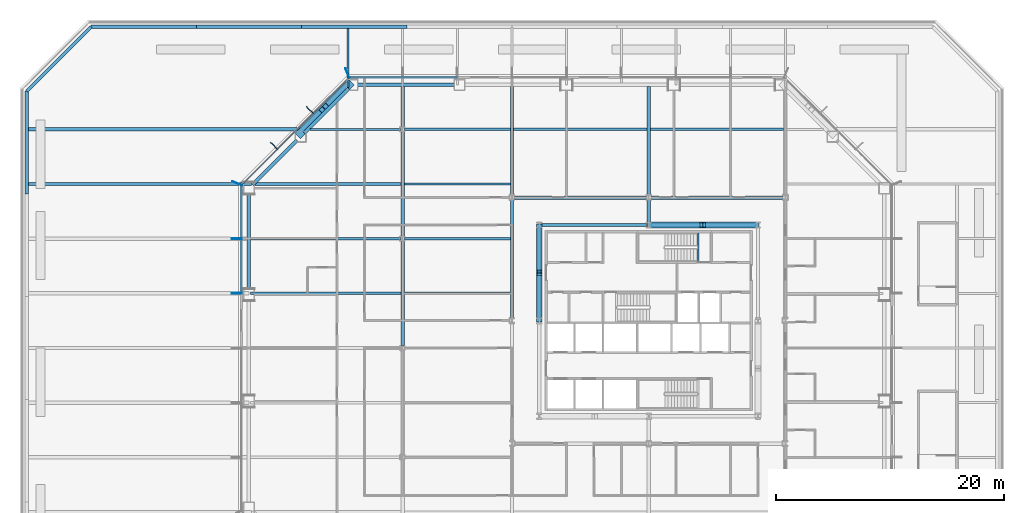
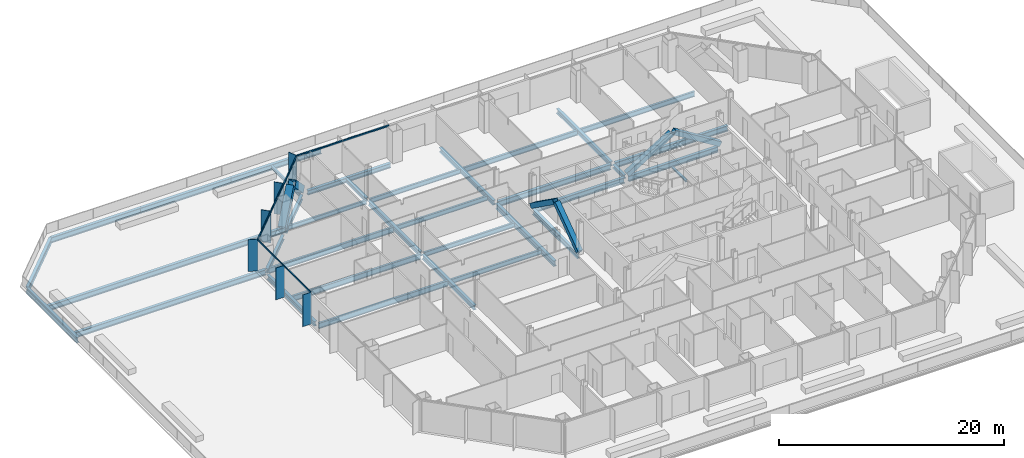
# One storey, part 4 of 18: 35 beams, 19 members, 3 elements without a shape of their own.
"""IFC4 building model written with IfcOpenShell, lengths in metres."""

from ifc_helpers import new_model, si_unit, direction, frame, origin, origin_2d, place, context, subcontext, project, spatial, rectangle, hollow_rectangle, i_section, extrude, material, material_profile, profile_set, type_object, element, aggregate, save


model = new_model("IFC4")

# Units and contexts
model_context = context("Model", 3, precision=1e-05, world=origin(), true_north=direction((0.0, 1.0)))
body_context = subcontext(model_context, "Body", "Model", "MODEL_VIEW")
ifc_project = project(units=[si_unit("LENGTHUNIT", "METRE"), si_unit("AREAUNIT", "SQUARE_METRE"), si_unit("VOLUMEUNIT", "CUBIC_METRE"), si_unit("PLANEANGLEUNIT", "RADIAN"), si_unit("MASSUNIT", "GRAM", prefix="KILO")], contexts=[model_context])

# Site, building, storey
site_placement = place(None, origin())
site = spatial("IfcSite", under=ifc_project, at=site_placement, CompositionType="ELEMENT")
building_placement = place(site_placement, origin())
building = spatial("IfcBuilding", under=site, at=building_placement, Name="Cairn Pilgrim Tower", CompositionType="ELEMENT")
storey_placement = place(building_placement, frame((0.0, 0.0, 40.199951171875)))
storey = spatial("IfcBuildingStorey", under=building, at=storey_placement, Name="L07", CompositionType="ELEMENT", Elevation=40.199951171875)

# Members
ifc_material_1 = material(Name="Structural steel S460M", Category="steel")
ifc_material_profile_1 = material_profile(ifc_material_1, hollow_rectangle(XDim=0.5, YDim=0.5, WallThickness=0.030029296875, at=origin_2d()), Name="BOX 500x500x30")
ifc_profile_set_1 = profile_set([ifc_material_profile_1], Name="Structural steel S460M")
member_type_1 = type_object("IfcMemberType", Name="BOX 500x500x30 BRACE", PredefinedType="BRACE", material=ifc_profile_set_1)
member_1_placement = place(storey_placement, frame((16.754638671875, 10.800048828125, 0.10009765625), z_axis=(-0.850917090612, 0.0, 0.525300014187), x_axis=(0.0, -1.0, 0.0)))
element("IfcMember", 1, at=member_1_placement, inside=storey, type_object=member_type_1, Name="KB-3A", PredefinedType="BRACE", context=body_context, shape_type="SweptSolid", body=[
    extrude(hollow_rectangle(XDim=0.5, YDim=0.5, WallThickness=0.030029296875, at=origin_2d()), origin(), (0.0, 0.0, 1.0), 5.525146484375),
])
member_2_placement = place(storey_placement, frame((7.245361328125, 10.800048828125, 0.10009765625), z_axis=(0.850919818074, 0.0, 0.52529559603), x_axis=(0.0, 1.0, 0.0)))
element("IfcMember", 2, at=member_2_placement, inside=storey, type_object=member_type_1, Name="KB-3B", PredefinedType="BRACE", context=body_context, shape_type="SweptSolid", body=[
    extrude(hollow_rectangle(XDim=0.5, YDim=0.5, WallThickness=0.030029296875, at=origin_2d()), origin(), (0.0, 0.0, 1.0), 5.375),
])
for number, where, z_axis, x_axis, name in (
    (3, (-2.39990234375, 10.754638671875, 0.10009765625), (0.0, -0.814083383497, 0.580748004486), (1.0, 0.0, 0.0), "KB-4A"),
    (4, (-2.39990234375, 2.4453125, 0.10009765625), (0.0, 0.814083383497, 0.580748004486), (-1.0, 0.0, 0.0), "KB-4B"),
):
    element("IfcMember", number, at=place(storey_placement, frame(where, z_axis=z_axis, x_axis=x_axis)), inside=storey, type_object=member_type_1, Name=name, PredefinedType="BRACE", context=body_context, shape_type="SweptSolid", body=[
        extrude(hollow_rectangle(XDim=0.5, YDim=0.5, WallThickness=0.030029296875, at=origin_2d()), origin(), (0.0, 0.0, 1.0), 4.9951171875),
    ])
ifc_material_profile_2 = material_profile(ifc_material_1, hollow_rectangle(XDim=0.699951171875, YDim=0.699951171875, WallThickness=0.0400390625, at=origin_2d()), Name="BOX 700x700x40")
ifc_profile_set_2 = profile_set([ifc_material_profile_2], Name="Structural steel S460M")
member_type_2 = type_object("IfcMemberType", Name="BOX 700x700x40 BRACE", PredefinedType="BRACE", material=ifc_profile_set_2)
member_3_placement = place(storey_placement, frame((-19.0498046875, 23.181396484375, 0.150146484375), z_axis=(-0.528118110354, -0.528118110354, 0.664968061663), x_axis=(0.707106781187, -0.707106781187, 0.0)))
element("IfcMember", 5, at=member_3_placement, inside=storey, type_object=member_type_2, Name="XB-NW1-NW2-1", PredefinedType="BRACE", context=body_context, shape_type="SweptSolid", body=[
    extrude(hollow_rectangle(XDim=0.699951171875, YDim=0.699951171875, WallThickness=0.0400390625, at=origin_2d()), origin(), (0.0, 0.0, 1.0), 3.89990234375),
])
member_4_placement = place(storey_placement, frame((-23.44482421875, 18.786376953125, 0.150146484375), z_axis=(0.528090425698, 0.528090425698, 0.665012033404), x_axis=(-0.707106781187, 0.707106781187, 0.0)))
element("IfcMember", 6, at=member_4_placement, inside=storey, type_object=member_type_2, Name="XB-NW1-NW2-2", PredefinedType="BRACE", context=body_context, shape_type="SweptSolid", body=[
    extrude(hollow_rectangle(XDim=0.699951171875, YDim=0.699951171875, WallThickness=0.0400390625, at=origin_2d()), origin(), (0.0, 0.0, 1.0), 3.899658203125),
])

# Curtain wall, members
ifc_material_2 = material(Name="Aluminium alloy 6063-T6 bronze anodised with Bronze tinted laminated low-E glass 8+16+8.8", Category="aluminium")
curtain_wall_type_1 = type_object("IfcCurtainWallType", Name="CHAMFER CORNER CURTAIN WALL", PredefinedType="NOTDEFINED", material=ifc_material_2)
curtain_wall_1_placement = place(storey_placement, origin())
curtain_wall_1 = element("IfcCurtainWall", 7, at=curtain_wall_1_placement, inside=storey, type_object=curtain_wall_type_1, Name="Chamfer Corner Curtain Wall NW", PredefinedType="NOTDEFINED")
ifc_material_3 = material(Name="Aluminium alloy 6063-T6 bronze anodised", Category="aluminium")
ifc_material_profile_3 = material_profile(ifc_material_3, rectangle(XDim=0.89990234375, YDim=0.06005859375, at=origin_2d()), Name="FIN MULLION 60x900 BRONZE")
ifc_profile_set_3 = profile_set([ifc_material_profile_3], Name="Aluminium alloy 6063-T6 bronze anodised")
member_type_3 = type_object("IfcMemberType", Name="FIN MULLION 60x900 BRONZE", PredefinedType="MULLION", material=ifc_profile_set_3)
member_5_placement = place(storey_placement, frame((-19.257080078125, 24.137939453125, 0.0), z_axis=(0.0, 0.0, 1.0), x_axis=(-0.382683432365, 0.923879532511, 0.0)))
member_5 = element("IfcMember", 8, at=member_5_placement, type_object=member_type_3, Name="Fin mullion NW1", PredefinedType="MULLION", context=body_context, shape_type="SweptSolid", body=[
    extrude(rectangle(XDim=0.89990234375, YDim=0.06005859375, at=origin_2d()), origin(), (0.0, 0.0, 1.0), 3.449951171875),
])
member_6_placement = place(storey_placement, frame((-22.544677734375, 20.895751953125, 0.0), z_axis=(0.0, 0.0, 1.0), x_axis=(-0.707106781187, 0.707106781187, 0.0)))
member_6 = element("IfcMember", 9, at=member_6_placement, type_object=member_type_3, Name="Fin mullion NW2", PredefinedType="MULLION", context=body_context, shape_type="SweptSolid", body=[
    extrude(rectangle(XDim=0.89990234375, YDim=0.06005859375, at=origin_2d()), origin(), (0.0, 0.0, 1.0), 3.449951171875),
])
member_7_placement = place(storey_placement, frame((-25.69580078125, 17.74462890625, 0.0), z_axis=(0.0, 0.0, 1.0), x_axis=(-0.707106781187, 0.707106781187, 0.0)))
member_7 = element("IfcMember", 10, at=member_7_placement, type_object=member_type_3, Name="Fin mullion NW3", PredefinedType="MULLION", context=body_context, shape_type="SweptSolid", body=[
    extrude(rectangle(XDim=0.89990234375, YDim=0.06005859375, at=origin_2d()), origin(), (0.0, 0.0, 1.0), 3.449951171875),
])

curtain_wall_type_2 = type_object("IfcCurtainWallType", Name="TOWER STICK CURTAIN WALL EW", PredefinedType="NOTDEFINED", material=ifc_material_2)
curtain_wall_2_placement = place(storey_placement, origin())
curtain_wall_2 = element("IfcCurtainWall", 11, at=curtain_wall_2_placement, inside=storey, type_object=curtain_wall_type_2, Name="Tower Stick Curtain Wall Ew W", PredefinedType="NOTDEFINED")
member_8_placement = place(storey_placement, frame((-28.93798828125, 14.457275390625, 0.0), z_axis=(0.0, 0.0, 1.0), x_axis=(-0.923879532511, 0.382683432365, 0.0)))
member_8 = element("IfcMember", 12, at=member_8_placement, type_object=member_type_3, Name="Fin mullion W1", PredefinedType="MULLION", context=body_context, shape_type="SweptSolid", body=[
    extrude(rectangle(XDim=0.89990234375, YDim=0.06005859375, at=origin_2d()), origin(), (0.0, 0.0, 1.0), 3.449951171875),
])
member_9_placement = place(storey_placement, frame((-28.969970703125, 9.60009765625, 0.0), z_axis=(0.0, 0.0, 1.0), x_axis=(-1.0, 0.0, 0.0)))
member_9 = element("IfcMember", 13, at=member_9_placement, type_object=member_type_3, Name="Fin mullion W2", PredefinedType="MULLION", context=body_context, shape_type="SweptSolid", body=[
    extrude(rectangle(XDim=0.89990234375, YDim=0.06005859375, at=origin_2d()), origin(), (0.0, 0.0, 1.0), 3.449951171875),
])
member_10_placement = place(storey_placement, frame((-28.969970703125, 4.800048828125, 0.0), z_axis=(0.0, 0.0, 1.0), x_axis=(-1.0, 0.0, 0.0)))
member_10 = element("IfcMember", 14, at=member_10_placement, type_object=member_type_3, Name="Fin mullion W3", PredefinedType="MULLION", context=body_context, shape_type="SweptSolid", body=[
    extrude(rectangle(XDim=0.89990234375, YDim=0.06005859375, at=origin_2d()), origin(), (0.0, 0.0, 1.0), 3.449951171875),
])

# Beams
ifc_material_4 = material(Name="Structural steel S355J2", Category="steel")
ifc_material_profile_4 = material_profile(ifc_material_4, i_section(OverallWidth=0.300048828125, OverallDepth=0.39990234375, WebThickness=0.013427734375, FlangeThickness=0.02392578125, FilletRadius=0.027099609375, at=origin_2d()), Name="HEB 400")
ifc_profile_set_4 = profile_set([ifc_material_profile_4], Name="Structural steel S355J2")
beam_type_1 = type_object("IfcBeamType", Name="HEB 400 GIRDER", PredefinedType="BEAM", material=ifc_profile_set_4)
beam_1_placement = place(storey_placement, frame((-14.39990234375, 19.404541015625, -0.349853515625), z_axis=(0.0, 1.0, 0.0), x_axis=(-1.0, 0.0, 0.0)))
element("IfcBeam", 15, at=beam_1_placement, inside=storey, type_object=beam_type_1, Name="PG1-6", PredefinedType="BEAM", context=body_context, shape_type="SweptSolid", body=[
    extrude(i_section(OverallWidth=0.300048828125, OverallDepth=0.39990234375, WebThickness=0.013427734375, FlangeThickness=0.02392578125, FilletRadius=0.027099609375, at=origin_2d()), origin(), (0.0, 0.0, 1.0), 3.575439453125),
])
beam_2_placement = place(storey_placement, frame((7.199951171875, 11.027099609375, -0.349853515625), z_axis=(0.0, 1.0, 0.0), x_axis=(-1.0, 0.0, 0.0)))
element("IfcBeam", 16, at=beam_2_placement, inside=storey, type_object=beam_type_1, Name="PG3-E2", PredefinedType="BEAM", context=body_context, shape_type="SweptSolid", body=[
    extrude(i_section(OverallWidth=0.300048828125, OverallDepth=0.39990234375, WebThickness=0.013427734375, FlangeThickness=0.02392578125, FilletRadius=0.027099609375, at=origin_2d()), origin(), (0.0, 0.0, 1.0), 1.9609375),
])
ifc_material_profile_5 = material_profile(ifc_material_4, i_section(OverallWidth=0.300048828125, OverallDepth=0.5, WebThickness=0.014404296875, FlangeThickness=0.028076171875, FilletRadius=0.027099609375, at=origin_2d()), Name="HEB 500")
ifc_profile_set_5 = profile_set([ifc_material_profile_5], Name="Structural steel S355J2")
beam_type_2 = type_object("IfcBeamType", Name="HEB 500 GIRDER", PredefinedType="BEAM", material=ifc_profile_set_5)
beam_3_placement = place(storey_placement, frame((-14.39990234375, 0.20458984375, -0.39990234375), z_axis=(0.0, 1.0, 0.0), x_axis=(-1.0, 0.0, 0.0)))
element("IfcBeam", 17, at=beam_3_placement, inside=storey, type_object=beam_type_2, Name="PG1-4", PredefinedType="BEAM", context=body_context, shape_type="SweptSolid", body=[
    extrude(i_section(OverallWidth=0.300048828125, OverallDepth=0.5, WebThickness=0.014404296875, FlangeThickness=0.028076171875, FilletRadius=0.027099609375, at=origin_2d()), origin(), (0.0, 0.0, 1.0), 9.19091796875),
])
beam_4_placement = place(storey_placement, frame((-14.39990234375, 9.804443359375, -0.39990234375), z_axis=(0.0, 1.0, 0.0), x_axis=(-1.0, 0.0, 0.0)))
element("IfcBeam", 18, at=beam_4_placement, inside=storey, type_object=beam_type_2, Name="PG1-5", PredefinedType="BEAM", context=body_context, shape_type="SweptSolid", body=[
    extrude(i_section(OverallWidth=0.300048828125, OverallDepth=0.5, WebThickness=0.014404296875, FlangeThickness=0.028076171875, FilletRadius=0.027099609375, at=origin_2d()), origin(), (0.0, 0.0, 1.0), 9.191162109375),
])
for number, where, z_axis, x_axis, name in (
    (19, (-4.800048828125, 13.412109375, -0.39990234375), (0.0, 1.0, 0.0), (-1.0, 0.0, 0.0), "PG2-4"),
    (20, (7.199951171875, 13.412109375, -0.39990234375), (0.0, 1.0, 0.0), (-1.0, 0.0, 0.0), "PG3-2"),
):
    element("IfcBeam", number, at=place(storey_placement, frame(where, z_axis=z_axis, x_axis=x_axis)), inside=storey, type_object=beam_type_2, Name=name, PredefinedType="BEAM", context=body_context, shape_type="SweptSolid", body=[
        extrude(i_section(OverallWidth=0.300048828125, OverallDepth=0.5, WebThickness=0.014404296875, FlangeThickness=0.028076171875, FilletRadius=0.027099609375, at=origin_2d()), origin(), (0.0, 0.0, 1.0), 9.56787109375),
    ])
ifc_material_profile_6 = material_profile(ifc_material_4, i_section(OverallWidth=0.300048828125, OverallDepth=0.5, WebThickness=0.014404296875, FlangeThickness=0.028076171875, FilletRadius=0.027099609375, at=origin_2d()), Name="HEB 500")
ifc_profile_set_6 = profile_set([ifc_material_profile_6], Name="Structural steel S355J2")
beam_type_3 = type_object("IfcBeamType", Name="HEB 500 RING GIRDER", PredefinedType="SPANDREL", material=ifc_profile_set_6)
beam_5_placement = place(storey_placement, frame((-9.863525390625, 23.10009765625, -0.39990234375), z_axis=(-1.0, 0.0, 0.0), x_axis=(0.0, -1.0, 0.0)))
element("IfcBeam", 21, at=beam_5_placement, inside=storey, type_object=beam_type_3, Name="RG1-N4-NW1", PredefinedType="SPANDREL", context=body_context, shape_type="SweptSolid", body=[
    extrude(i_section(OverallWidth=0.300048828125, OverallDepth=0.5, WebThickness=0.014404296875, FlangeThickness=0.028076171875, FilletRadius=0.027099609375, at=origin_2d()), origin(), (0.0, 0.0, 1.0), 8.513671875),
])
for number, where, z_axis, x_axis, name in (
    (22, (-19.1455078125, 22.78173828125, -0.39990234375), (-0.707106781187, -0.707106781187, 0.0), (0.707106781187, -0.707106781187, 0.0), "RG1-NW1-NW2"),
    (23, (-23.681884765625, 18.245361328125, -0.39990234375), (-0.707106781187, -0.707106781187, 0.0), (0.707106781187, -0.707106781187, 0.0), "RG1-NW2-W1"),
):
    element("IfcBeam", number, at=place(storey_placement, frame(where, z_axis=z_axis, x_axis=x_axis)), inside=storey, type_object=beam_type_3, Name=name, PredefinedType="SPANDREL", context=body_context, shape_type="SweptSolid", body=[
        extrude(i_section(OverallWidth=0.300048828125, OverallDepth=0.5, WebThickness=0.014404296875, FlangeThickness=0.028076171875, FilletRadius=0.027099609375, at=origin_2d()), origin(), (0.0, 0.0, 1.0), 5.515380859375),
    ])
beam_6_placement = place(storey_placement, frame((-27.89990234375, 13.5771484375, -0.39990234375), z_axis=(0.0, -1.0, 0.0), x_axis=(1.0, 0.0, 0.0)))
element("IfcBeam", 24, at=beam_6_placement, inside=storey, type_object=beam_type_3, Name="RG1-W1-W2", PredefinedType="SPANDREL", context=body_context, shape_type="SweptSolid", body=[
    extrude(i_section(OverallWidth=0.300048828125, OverallDepth=0.5, WebThickness=0.014404296875, FlangeThickness=0.028076171875, FilletRadius=0.027099609375, at=origin_2d()), origin(), (0.0, 0.0, 1.0), 8.451416015625),
])
ifc_material_profile_7 = material_profile(ifc_material_4, i_section(OverallWidth=0.300048828125, OverallDepth=0.60009765625, WebThickness=0.015380859375, FlangeThickness=0.030029296875, FilletRadius=0.027099609375, at=origin_2d()), Name="HEB 600")
ifc_profile_set_7 = profile_set([ifc_material_profile_7], Name="Structural steel S355J2")
beam_type_4 = type_object("IfcBeamType", Name="HEB 600 CORE BEAM", PredefinedType="BEAM", material=ifc_profile_set_7)
for number, where, z_axis, x_axis, name in (
    (25, (16.595703125, 10.800048828125, -0.449951171875), (-1.0, 0.0, 0.0), (0.0, -1.0, 0.0), "CB-5"),
    (26, (6.99560546875, 10.800048828125, -0.449951171875), (-1.0, 0.0, 0.0), (0.0, -1.0, 0.0), "CB-6"),
):
    element("IfcBeam", number, at=place(storey_placement, frame(where, z_axis=z_axis, x_axis=x_axis)), inside=storey, type_object=beam_type_4, Name=name, PredefinedType="BEAM", context=body_context, shape_type="SweptSolid", body=[
        extrude(i_section(OverallWidth=0.300048828125, OverallDepth=0.60009765625, WebThickness=0.015380859375, FlangeThickness=0.030029296875, FilletRadius=0.027099609375, at=origin_2d()), origin(), (0.0, 0.0, 1.0), 9.19140625),
    ])
beam_7_placement = place(storey_placement, frame((-2.39990234375, 10.595703125, -0.449951171875), z_axis=(0.0, -1.0, 0.0), x_axis=(1.0, 0.0, 0.0)))
element("IfcBeam", 27, at=beam_7_placement, inside=storey, type_object=beam_type_4, Name="CB-7", PredefinedType="BEAM", context=body_context, shape_type="SweptSolid", body=[
    extrude(i_section(OverallWidth=0.300048828125, OverallDepth=0.60009765625, WebThickness=0.015380859375, FlangeThickness=0.030029296875, FilletRadius=0.027099609375, at=origin_2d()), origin(), (0.0, 0.0, 1.0), 7.991455078125),
])
ifc_material_profile_8 = material_profile(ifc_material_4, i_section(OverallWidth=0.300048828125, OverallDepth=0.60009765625, WebThickness=0.015380859375, FlangeThickness=0.030029296875, FilletRadius=0.027099609375, at=origin_2d()), Name="HEB 600")
ifc_profile_set_8 = profile_set([ifc_material_profile_8], Name="Structural steel S355J2")
beam_type_5 = type_object("IfcBeamType", Name="HEB 600 GIRDER", PredefinedType="BEAM", material=ifc_profile_set_8)
beam_8_placement = place(storey_placement, frame((-4.800048828125, 2.612060546875, -0.449951171875), z_axis=(0.0, 1.0, 0.0), x_axis=(-1.0, 0.0, 0.0)))
element("IfcBeam", 28, at=beam_8_placement, inside=storey, type_object=beam_type_5, Name="PG2-3", PredefinedType="BEAM", context=body_context, shape_type="SweptSolid", body=[
    extrude(i_section(OverallWidth=0.300048828125, OverallDepth=0.60009765625, WebThickness=0.015380859375, FlangeThickness=0.030029296875, FilletRadius=0.027099609375, at=origin_2d()), origin(), (0.0, 0.0, 1.0), 10.3759765625),
])
ifc_material_profile_9 = material_profile(ifc_material_4, i_section(OverallWidth=0.300048828125, OverallDepth=0.60009765625, WebThickness=0.015380859375, FlangeThickness=0.030029296875, FilletRadius=0.027099609375, at=origin_2d()), Name="HEB 600")
ifc_profile_set_9 = profile_set([ifc_material_profile_9], Name="Structural steel S355J2")
beam_type_6 = type_object("IfcBeamType", Name="HEB 600 INNER GIRDER", PredefinedType="BEAM", material=ifc_profile_set_9)
for number, where, z_axis, x_axis, name in (
    (29, (-4.587890625, 13.199951171875, -0.449951171875), (1.0, 0.0, 0.0), (0.0, 1.0, 0.0), "IG2-1"),
    (30, (7.412109375, 13.199951171875, -0.449951171875), (1.0, 0.0, 0.0), (0.0, 1.0, 0.0), "IG2-2"),
):
    element("IfcBeam", number, at=place(storey_placement, frame(where, z_axis=z_axis, x_axis=x_axis)), inside=storey, type_object=beam_type_6, Name=name, PredefinedType="BEAM", context=body_context, shape_type="SweptSolid", body=[
        extrude(i_section(OverallWidth=0.300048828125, OverallDepth=0.60009765625, WebThickness=0.015380859375, FlangeThickness=0.030029296875, FilletRadius=0.027099609375, at=origin_2d()), origin(), (0.0, 0.0, 1.0), 11.575927734375),
    ])
ifc_material_profile_10 = material_profile(ifc_material_4, i_section(OverallWidth=0.18994140625, OverallDepth=0.449951171875, WebThickness=0.009521484375, FlangeThickness=0.0146484375, FilletRadius=0.02099609375, at=origin_2d()), Name="IPE 450")
ifc_profile_set_10 = profile_set([ifc_material_profile_10], Name="Structural steel S355J2")
beam_type_7 = type_object("IfcBeamType", Name="IPE 450 SECONDARY BEAM", PredefinedType="JOIST", material=ifc_profile_set_10)
beam_9_placement = place(storey_placement, frame((-22.545166015625, 19.199951171875, -0.375), z_axis=(1.0, 0.0, 0.0), x_axis=(0.0, 1.0, 0.0)))
element("IfcBeam", 31, at=beam_9_placement, inside=storey, type_object=beam_type_7, Name="SB9-1", PredefinedType="JOIST", context=body_context, shape_type="SweptSolid", body=[
    extrude(i_section(OverallWidth=0.18994140625, OverallDepth=0.449951171875, WebThickness=0.009521484375, FlangeThickness=0.0146484375, FilletRadius=0.02099609375, at=origin_2d()), origin(), (0.0, 0.0, 1.0), 7.9951171875),
])
ifc_material_profile_11 = material_profile(ifc_material_4, i_section(OverallWidth=0.199951171875, OverallDepth=0.5, WebThickness=0.01025390625, FlangeThickness=0.01611328125, FilletRadius=0.02099609375, at=origin_2d()), Name="IPE 500")
ifc_profile_set_11 = profile_set([ifc_material_profile_11], Name="Structural steel S355J2")
beam_type_8 = type_object("IfcBeamType", Name="IPE 500 SECONDARY BEAM", PredefinedType="JOIST", material=ifc_profile_set_11)
for number, where, z_axis, x_axis, name in (
    (32, (-14.25, 4.800048828125, -0.39990234375), (1.0, 0.0, 0.0), (0.0, 1.0, 0.0), "SB6-2"),
    (33, (-14.25, 9.60009765625, -0.39990234375), (1.0, 0.0, 0.0), (0.0, 1.0, 0.0), "SB7-2"),
    (34, (-14.25, 14.39990234375, -0.39990234375), (1.0, 0.0, 0.0), (0.0, 1.0, 0.0), "SB8-2"),
    (35, (-14.25, 19.199951171875, -0.39990234375), (1.0, 0.0, 0.0), (0.0, 1.0, 0.0), "SB9-2"),
):
    element("IfcBeam", number, at=place(storey_placement, frame(where, z_axis=z_axis, x_axis=x_axis)), inside=storey, type_object=beam_type_8, Name=name, PredefinedType="JOIST", context=body_context, shape_type="SweptSolid", body=[
        extrude(i_section(OverallWidth=0.199951171875, OverallDepth=0.5, WebThickness=0.01025390625, FlangeThickness=0.01611328125, FilletRadius=0.02099609375, at=origin_2d()), origin(), (0.0, 0.0, 1.0), 9.300048828125),
    ])
ifc_material_profile_12 = material_profile(ifc_material_4, i_section(OverallWidth=0.2099609375, OverallDepth=0.550048828125, WebThickness=0.010986328125, FlangeThickness=0.01708984375, FilletRadius=0.02392578125, at=origin_2d()), Name="IPE 550")
ifc_profile_set_12 = profile_set([ifc_material_profile_12], Name="Structural steel S355J2")
beam_type_9 = type_object("IfcBeamType", Name="IPE 550 SECONDARY BEAM", PredefinedType="JOIST", material=ifc_profile_set_12)
for number, where, z_axis, x_axis, name in (
    (36, (-4.64990234375, 19.199951171875, -0.425048828125), (1.0, 0.0, 0.0), (0.0, 1.0, 0.0), "SB9-3"),
    (37, (7.35009765625, 19.199951171875, -0.425048828125), (1.0, 0.0, 0.0), (0.0, 1.0, 0.0), "SB9-4"),
):
    element("IfcBeam", number, at=place(storey_placement, frame(where, z_axis=z_axis, x_axis=x_axis)), inside=storey, type_object=beam_type_9, Name=name, PredefinedType="JOIST", context=body_context, shape_type="SweptSolid", body=[
        extrude(i_section(OverallWidth=0.2099609375, OverallDepth=0.550048828125, WebThickness=0.010986328125, FlangeThickness=0.01708984375, FilletRadius=0.02392578125, at=origin_2d()), origin(), (0.0, 0.0, 1.0), 11.699951171875),
    ])
ifc_material_profile_13 = material_profile(ifc_material_4, i_section(OverallWidth=0.219970703125, OverallDepth=0.60009765625, WebThickness=0.011962890625, FlangeThickness=0.01904296875, FilletRadius=0.02392578125, at=origin_2d()), Name="IPE 600")
ifc_profile_set_13 = profile_set([ifc_material_profile_13], Name="Structural steel S355J2")
beam_type_10 = type_object("IfcBeamType", Name="IPE 600 SECONDARY BEAM", PredefinedType="JOIST", material=ifc_profile_set_13)
for number, where, z_axis, x_axis, name in (
    (38, (-27.780029296875, 4.800048828125, -0.449951171875), (1.0, 0.0, 0.0), (0.0, 1.0, 0.0), "SB6-1"),
    (39, (-27.780029296875, 9.60009765625, -0.449951171875), (1.0, 0.0, 0.0), (0.0, 1.0, 0.0), "SB7-1"),
):
    element("IfcBeam", number, at=place(storey_placement, frame(where, z_axis=z_axis, x_axis=x_axis)), inside=storey, type_object=beam_type_10, Name=name, PredefinedType="JOIST", context=body_context, shape_type="SweptSolid", body=[
        extrude(i_section(OverallWidth=0.219970703125, OverallDepth=0.60009765625, WebThickness=0.011962890625, FlangeThickness=0.01904296875, FilletRadius=0.02392578125, at=origin_2d()), origin(), (0.0, 0.0, 1.0), 13.22998046875),
    ])
beam_10_placement = place(storey_placement, frame((-27.34521484375, 14.39990234375, -0.449951171875), z_axis=(1.0, 0.0, 0.0), x_axis=(0.0, 1.0, 0.0)))
element("IfcBeam", 40, at=beam_10_placement, inside=storey, type_object=beam_type_10, Name="SB8-1", PredefinedType="JOIST", context=body_context, shape_type="SweptSolid", body=[
    extrude(i_section(OverallWidth=0.219970703125, OverallDepth=0.60009765625, WebThickness=0.011962890625, FlangeThickness=0.01904296875, FilletRadius=0.02392578125, at=origin_2d()), origin(), (0.0, 0.0, 1.0), 12.795166015625),
])
ifc_material_profile_14 = material_profile(ifc_material_4, i_section(OverallWidth=0.300048828125, OverallDepth=0.60009765625, WebThickness=0.015380859375, FlangeThickness=0.030029296875, FilletRadius=0.027099609375, at=origin_2d()), Name="HEB 600")
ifc_profile_set_14 = profile_set([ifc_material_profile_14], Name="Structural steel S355J2")
beam_type_11 = type_object("IfcBeamType", Name="PODIUM BEAM HE 600 B", PredefinedType="BEAM", material=ifc_profile_set_14)
beam_11_placement = place(storey_placement, frame((-47.248046875, 14.39990234375, -0.449951171875), z_axis=(1.0, 0.0, 0.0), x_axis=(0.0, 1.0, 0.0)))
element("IfcBeam", 41, at=beam_11_placement, inside=storey, type_object=beam_type_11, Name="PODIUM BEAM PB-HE600B", PredefinedType="BEAM", context=body_context, shape_type="SweptSolid", body=[
    extrude(i_section(OverallWidth=0.300048828125, OverallDepth=0.60009765625, WebThickness=0.015380859375, FlangeThickness=0.030029296875, FilletRadius=0.027099609375, at=origin_2d()), origin(), (0.0, 0.0, 1.0), 19.56884765625),
])
beam_12_placement = place(storey_placement, frame((-47.248046875, 19.199951171875, -0.449951171875), z_axis=(1.0, 0.0, 0.0), x_axis=(0.0, 1.0, 0.0)))
element("IfcBeam", 42, at=beam_12_placement, inside=storey, type_object=beam_type_11, Name="PODIUM BEAM PB-HE600B", PredefinedType="BEAM", context=body_context, shape_type="SweptSolid", body=[
    extrude(i_section(OverallWidth=0.300048828125, OverallDepth=0.60009765625, WebThickness=0.015380859375, FlangeThickness=0.030029296875, FilletRadius=0.027099609375, at=origin_2d()), origin(), (0.0, 0.0, 1.0), 24.368896484375),
])
ifc_material_profile_15 = material_profile(ifc_material_4, i_section(OverallWidth=0.169921875, OverallDepth=0.360107421875, WebThickness=0.008056640625, FlangeThickness=0.0126953125, FilletRadius=0.01806640625, at=origin_2d()), Name="IPE 360")
ifc_profile_set_15 = profile_set([ifc_material_profile_15], Name="Structural steel S355J2")
beam_type_12 = type_object("IfcBeamType", Name="PODIUM BEAM IPE 360", PredefinedType="BEAM", material=ifc_profile_set_15)
beam_13_placement = place(storey_placement, frame((-19.199951171875, 22.879150390625, -0.329833984375), z_axis=(0.0, 1.0, 0.0), x_axis=(-1.0, 0.0, 0.0)))
element("IfcBeam", 43, at=beam_13_placement, inside=storey, type_object=beam_type_12, Name="PODIUM BEAM PB-IPE360", PredefinedType="BEAM", context=body_context, shape_type="SweptSolid", body=[
    extrude(i_section(OverallWidth=0.169921875, OverallDepth=0.360107421875, WebThickness=0.008056640625, FlangeThickness=0.0126953125, FilletRadius=0.01806640625, at=origin_2d()), origin(), (0.0, 0.0, 1.0), 5.1689453125),
])
ifc_material_profile_16 = material_profile(ifc_material_4, i_section(OverallWidth=0.300048828125, OverallDepth=0.60009765625, WebThickness=0.015380859375, FlangeThickness=0.030029296875, FilletRadius=0.027099609375, at=origin_2d()), Name="HEB 600")
ifc_profile_set_16 = profile_set([ifc_material_profile_16], Name="Structural steel S355J2")
beam_type_13 = type_object("IfcBeamType", Name="PODIUM EDGE GIRDER HE 600 B", PredefinedType="BEAM", material=ifc_profile_set_16)
beam_14_placement = place(storey_placement, frame((-14.037841796875, 28.199951171875, -0.449951171875), z_axis=(-1.0, 0.0, 0.0), x_axis=(0.0, -1.0, 0.0)))
element("IfcBeam", 44, at=beam_14_placement, inside=storey, type_object=beam_type_13, Name="PODIUM EDGE GIRDER PE-HE600B", PredefinedType="BEAM", context=body_context, shape_type="SweptSolid", body=[
    extrude(i_section(OverallWidth=0.300048828125, OverallDepth=0.60009765625, WebThickness=0.015380859375, FlangeThickness=0.030029296875, FilletRadius=0.027099609375, at=origin_2d()), origin(), (0.0, 0.0, 1.0), 9.23779296875),
])
beam_15_placement = place(storey_placement, frame((-23.275634765625, 28.199951171875, -0.449951171875), z_axis=(-1.0, 0.0, 0.0), x_axis=(0.0, -1.0, 0.0)))
element("IfcBeam", 45, at=beam_15_placement, inside=storey, type_object=beam_type_13, Name="PODIUM EDGE GIRDER PE-HE600B", PredefinedType="BEAM", context=body_context, shape_type="SweptSolid", body=[
    extrude(i_section(OverallWidth=0.300048828125, OverallDepth=0.60009765625, WebThickness=0.015380859375, FlangeThickness=0.030029296875, FilletRadius=0.027099609375, at=origin_2d()), origin(), (0.0, 0.0, 1.0), 9.238037109375),
])
beam_16_placement = place(storey_placement, frame((-32.513671875, 28.199951171875, -0.449951171875), z_axis=(-1.0, 0.0, 0.0), x_axis=(0.0, -1.0, 0.0)))
element("IfcBeam", 46, at=beam_16_placement, inside=storey, type_object=beam_type_13, Name="PODIUM EDGE GIRDER PE-HE600B", PredefinedType="BEAM", context=body_context, shape_type="SweptSolid", body=[
    extrude(i_section(OverallWidth=0.300048828125, OverallDepth=0.60009765625, WebThickness=0.015380859375, FlangeThickness=0.030029296875, FilletRadius=0.027099609375, at=origin_2d()), origin(), (0.0, 0.0, 1.0), 9.23779296875),
])
beam_17_placement = place(storey_placement, frame((-41.75146484375, 28.199951171875, -0.449951171875), z_axis=(-0.707106781187, -0.707106781187, 0.0), x_axis=(0.707106781187, -0.707106781187, 0.0)))
element("IfcBeam", 47, at=beam_17_placement, inside=storey, type_object=beam_type_13, Name="PODIUM EDGE GIRDER PE-HE600B", PredefinedType="BEAM", context=body_context, shape_type="SweptSolid", body=[
    extrude(i_section(OverallWidth=0.300048828125, OverallDepth=0.60009765625, WebThickness=0.015380859375, FlangeThickness=0.030029296875, FilletRadius=0.027099609375, at=origin_2d()), origin(), (0.0, 0.0, 1.0), 7.988037109375),
])
beam_18_placement = place(storey_placement, frame((-47.39990234375, 22.551513671875, -0.449951171875), z_axis=(0.0, -1.0, 0.0), x_axis=(1.0, 0.0, 0.0)))
element("IfcBeam", 48, at=beam_18_placement, inside=storey, type_object=beam_type_13, Name="PODIUM EDGE GIRDER PE-HE600B", PredefinedType="BEAM", context=body_context, shape_type="SweptSolid", body=[
    extrude(i_section(OverallWidth=0.300048828125, OverallDepth=0.60009765625, WebThickness=0.015380859375, FlangeThickness=0.030029296875, FilletRadius=0.027099609375, at=origin_2d()), origin(), (0.0, 0.0, 1.0), 9.0205078125),
])
ifc_material_profile_17 = material_profile(ifc_material_4, i_section(OverallWidth=0.199951171875, OverallDepth=0.199951171875, WebThickness=0.009033203125, FlangeThickness=0.014892578125, FilletRadius=0.01806640625, at=origin_2d()), Name="HE 200 B")
ifc_profile_set_17 = profile_set([ifc_material_profile_17], Name="Structural steel S355J2")
beam_type_14 = type_object("IfcBeamType", Name="STAIR LANDING BEAM HE 200 B", PredefinedType="BEAM", material=ifc_profile_set_17)
beam_19_placement = place(storey_placement, frame((11.5244140625, 10.10009765625, -0.25), z_axis=(0.0, -1.0, 0.0), x_axis=(1.0, 0.0, 0.0)))
element("IfcBeam", 49, at=beam_19_placement, inside=storey, type_object=beam_type_14, Name="STAIR LANDING BEAM LD-HE200B", PredefinedType="BEAM", context=body_context, shape_type="SweptSolid", body=[
    extrude(i_section(OverallWidth=0.199951171875, OverallDepth=0.199951171875, WebThickness=0.009033203125, FlangeThickness=0.014892578125, FilletRadius=0.01806640625, at=origin_2d()), origin(), (0.0, 0.0, 1.0), 2.525146484375),
])

# Curtain wall, members
curtain_wall_type_3 = type_object("IfcCurtainWallType", Name="TOWER STICK CURTAIN WALL NS", PredefinedType="NOTDEFINED", material=ifc_material_2)
curtain_wall_3_placement = place(storey_placement, origin())
curtain_wall_3 = element("IfcCurtainWall", 50, at=curtain_wall_3_placement, inside=storey, type_object=curtain_wall_type_3, Name="Tower Stick Curtain Wall Ns N", PredefinedType="NOTDEFINED")
ifc_material_profile_18 = material_profile(ifc_material_3, rectangle(XDim=0.080078125, YDim=0.14990234375, at=origin_2d()), Name="TRANSOM 80x150 BRONZE")
ifc_profile_set_18 = profile_set([ifc_material_profile_18], Name="Aluminium alloy 6063-T6 bronze anodised")
member_type_4 = type_object("IfcMemberType", Name="TRANSOM 80x150 BRONZE", PredefinedType="USERDEFINED", material=ifc_profile_set_18)
member_11_placement = place(storey_placement, frame((-9.6298828125, 23.75, 3.375), z_axis=(-1.0, 0.0, 0.0), x_axis=(0.0, -1.0, 0.0)))
member_11 = element("IfcMember", 51, at=member_11_placement, type_object=member_type_4, Name="Transom N7", ObjectType="TRANSOM", PredefinedType="USERDEFINED", context=body_context, shape_type="SweptSolid", body=[
    extrude(rectangle(XDim=0.080078125, YDim=0.14990234375, at=origin_2d()), origin(), (0.0, 0.0, 1.0), 4.740234375),
])
member_12_placement = place(storey_placement, frame((-14.429931640625, 23.75, 3.375), z_axis=(-1.0, 0.0, 0.0), x_axis=(0.0, -1.0, 0.0)))
member_12 = element("IfcMember", 52, at=member_12_placement, type_object=member_type_4, Name="Transom N8", ObjectType="TRANSOM", PredefinedType="USERDEFINED", context=body_context, shape_type="SweptSolid", body=[
    extrude(rectangle(XDim=0.080078125, YDim=0.14990234375, at=origin_2d()), origin(), (0.0, 0.0, 1.0), 4.62646484375),
])
aggregate(curtain_wall_3, [member_11, member_12])

# Member
member_13_placement = place(storey_placement, frame((-19.124755859375, 23.7216796875, 3.375), z_axis=(-0.707106781187, -0.707106781187, 0.0), x_axis=(0.707106781187, -0.707106781187, 0.0)))
member_13 = element("IfcMember", 53, at=member_13_placement, type_object=member_type_4, Name="Transom NW1", ObjectType="TRANSOM", PredefinedType="USERDEFINED", context=body_context, shape_type="SweptSolid", body=[
    extrude(rectangle(XDim=0.080078125, YDim=0.14990234375, at=origin_2d()), origin(), (0.0, 0.0, 1.0), 4.38623046875),
])

member_14_placement = place(storey_placement, frame((-22.268798828125, 20.57763671875, 3.375), z_axis=(-0.707106781187, -0.707106781187, 0.0), x_axis=(0.707106781187, -0.707106781187, 0.0)))
member_14 = element("IfcMember", 54, at=member_14_placement, type_object=member_type_4, Name="Transom NW2", ObjectType="TRANSOM", PredefinedType="USERDEFINED", context=body_context, shape_type="SweptSolid", body=[
    extrude(rectangle(XDim=0.080078125, YDim=0.14990234375, at=origin_2d()), origin(), (0.0, 0.0, 1.0), 4.396728515625),
])

member_15_placement = place(storey_placement, frame((-25.419921875, 17.426513671875, 3.375), z_axis=(-0.707106781187, -0.707106781187, 0.0), x_axis=(0.707106781187, -0.707106781187, 0.0)))
member_15 = element("IfcMember", 55, at=member_15_placement, type_object=member_type_4, Name="Transom NW3", ObjectType="TRANSOM", PredefinedType="USERDEFINED", context=body_context, shape_type="SweptSolid", body=[
    extrude(rectangle(XDim=0.080078125, YDim=0.14990234375, at=origin_2d()), origin(), (0.0, 0.0, 1.0), 4.38671875),
])

aggregate(curtain_wall_1, [member_5, member_6, member_7, member_13, member_14, member_15])

member_16_placement = place(storey_placement, frame((-28.550048828125, 14.25634765625, 3.375), z_axis=(0.0, -1.0, 0.0), x_axis=(1.0, 0.0, 0.0)))
member_16 = element("IfcMember", 56, at=member_16_placement, type_object=member_type_4, Name="Transom W1", ObjectType="TRANSOM", PredefinedType="USERDEFINED", context=body_context, shape_type="SweptSolid", body=[
    extrude(rectangle(XDim=0.080078125, YDim=0.14990234375, at=origin_2d()), origin(), (0.0, 0.0, 1.0), 4.62646484375),
])

member_17_placement = place(storey_placement, frame((-28.550048828125, 9.570068359375, 3.375), z_axis=(0.0, -1.0, 0.0), x_axis=(1.0, 0.0, 0.0)))
member_17 = element("IfcMember", 57, at=member_17_placement, type_object=member_type_4, Name="Transom W2", ObjectType="TRANSOM", PredefinedType="USERDEFINED", context=body_context, shape_type="SweptSolid", body=[
    extrude(rectangle(XDim=0.080078125, YDim=0.14990234375, at=origin_2d()), origin(), (0.0, 0.0, 1.0), 4.739990234375),
])

aggregate(curtain_wall_2, [member_8, member_9, member_10, member_16, member_17])

save(model, "model.ifc")
